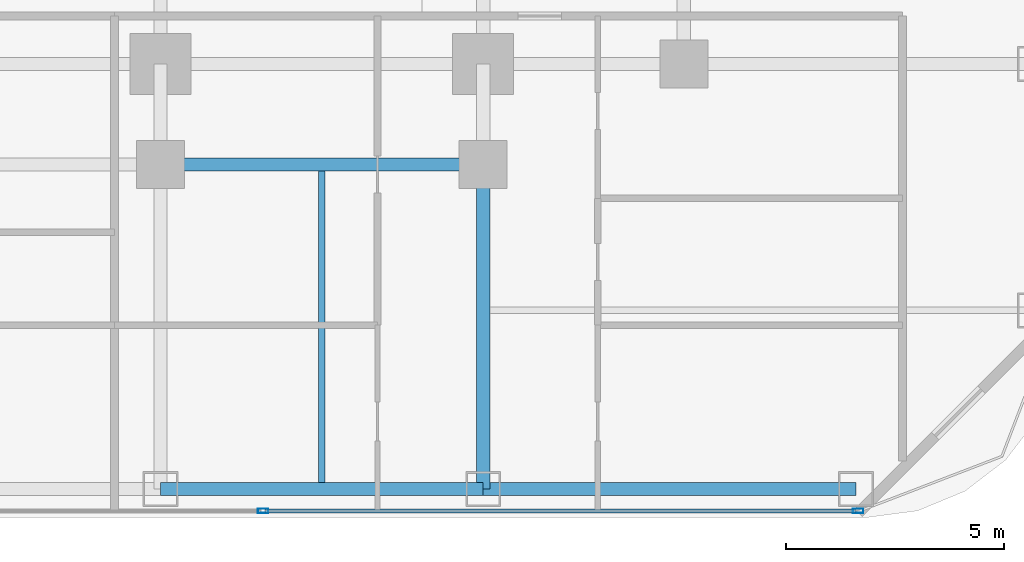
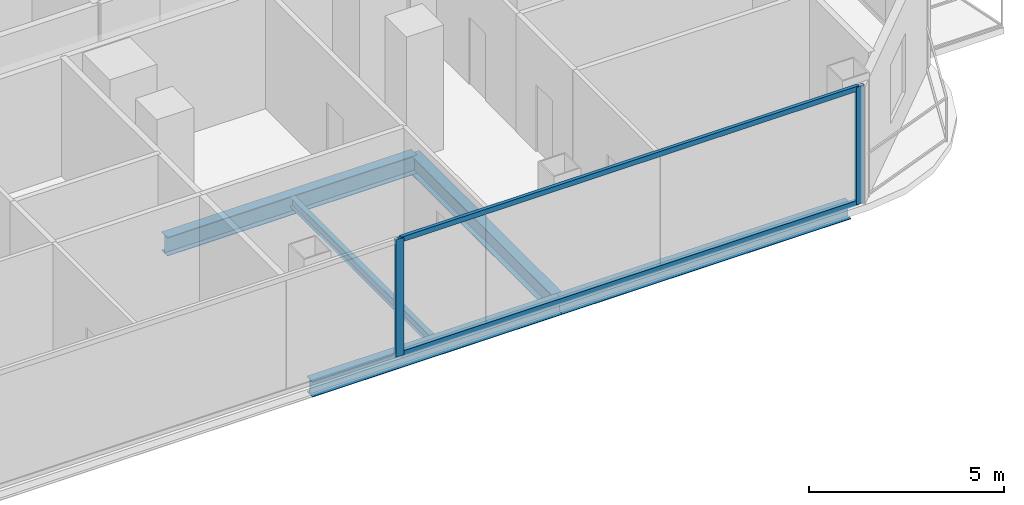
# One storey, part 8 of 27: 5 beams, 4 members, 1 element without a shape of its own.
"""IFC4 building model written with IfcOpenShell, lengths in metres."""

from ifc_helpers import new_model, si_unit, direction, frame, origin, origin_2d, place, context, subcontext, project, spatial, hollow_rectangle, i_section, extrude, material, layer, layer_set, material_profile, profile_set, type_object, element, aggregate, save


model = new_model("IFC4")

# Units and contexts
model_context = context("Model", 3, precision=1e-05, world=origin(), true_north=direction((0.0, 1.0)))
body_context = subcontext(model_context, "Body", "Model", "MODEL_VIEW")
ifc_project = project(units=[si_unit("LENGTHUNIT", "METRE"), si_unit("AREAUNIT", "SQUARE_METRE"), si_unit("VOLUMEUNIT", "CUBIC_METRE"), si_unit("PLANEANGLEUNIT", "RADIAN"), si_unit("MASSUNIT", "GRAM", prefix="KILO")], contexts=[model_context])

# Site, building, storey
site_placement = place(None, origin())
site = spatial("IfcSite", under=ifc_project, at=site_placement, CompositionType="ELEMENT")
building_placement = place(site_placement, origin())
building = spatial("IfcBuilding", under=site, at=building_placement, Name="Khorvyn Point Tower", CompositionType="ELEMENT")
storey_placement = place(building_placement, frame((0.0, 0.0, 46.199951171875)))
storey = spatial("IfcBuildingStorey", under=building, at=storey_placement, Name="L12", CompositionType="ELEMENT", Elevation=46.199951171875)

# Curtain wall, members
ifc_material_1 = material(Name="Anodised aluminium 6063-T6 and laminated Low-E glass", Category="aluminium")
ifc_layer = layer(ifc_material_1, 0.18994140625)
ifc_layer_set = layer_set([ifc_layer], Name="Stick-Built Finned Residential Curtain Wall CW-SYS-02")
curtain_wall_type = type_object("IfcCurtainWallType", Name="Stick-Built Finned Residential Curtain Wall CW-SYS-02", PredefinedType="NOTDEFINED", material=ifc_layer_set)
curtain_wall_placement = place(storey_placement, origin())
curtain_wall = element("IfcCurtainWall", 1, at=curtain_wall_placement, inside=storey, type_object=curtain_wall_type, Name="Curtain Wall", PredefinedType="NOTDEFINED")
ifc_material_2 = material(Name="Anodised aluminium 6063-T6", Category="aluminium")
ifc_material_profile_1 = material_profile(ifc_material_2, hollow_rectangle(XDim=0.10009765625, YDim=0.239990234375, WallThickness=0.0048828125, at=origin_2d()))
ifc_profile_set_1 = profile_set([ifc_material_profile_1], Name="Anodised aluminium 6063-T6 ALU-MUL-100x240")
member_type_1 = type_object("IfcMemberType", Name="Anodised Aluminium 6063-T6 Mullion ALU-MUL-100x240", PredefinedType="MULLION", material=ifc_profile_set_1)
member_1_placement = place(storey_placement, frame((23.39990234375, -25.050048828125, 0.0), z_axis=(0.0, 0.0, 1.0), x_axis=(0.0, -1.0, 0.0)))
member_1 = element("IfcMember", 2, at=member_1_placement, type_object=member_type_1, Name="Transom", PredefinedType="MULLION", context=body_context, shape_type="SweptSolid", body=[
    extrude(hollow_rectangle(XDim=0.10009765625, YDim=0.239990234375, WallThickness=0.0048828125, at=origin_2d()), origin(), (0.0, 0.0, 1.0), 3.679931640625),
])
member_2_placement = place(storey_placement, frame((9.75, -25.050048828125, 0.0), z_axis=(0.0, 0.0, 1.0), x_axis=(0.0, -1.0, 0.0)))
member_2 = element("IfcMember", 3, at=member_2_placement, type_object=member_type_1, Name="Transom", PredefinedType="MULLION", context=body_context, shape_type="SweptSolid", body=[
    extrude(hollow_rectangle(XDim=0.10009765625, YDim=0.239990234375, WallThickness=0.0048828125, at=origin_2d()), origin(), (0.0, 0.0, 1.0), 3.679931640625),
])
ifc_material_profile_2 = material_profile(ifc_material_2, hollow_rectangle(XDim=0.10009765625, YDim=0.159912109375, WallThickness=0.00439453125, at=origin_2d()))
ifc_profile_set_2 = profile_set([ifc_material_profile_2], Name="Anodised aluminium 6063-T6 ALU-TRN-100x160")
member_type_2 = type_object("IfcMemberType", Name="Anodised Aluminium 6063-T6 Transom ALU-TRN-100x160", PredefinedType="USERDEFINED", material=ifc_profile_set_2)
member_3_placement = place(storey_placement, frame((23.35009765625, -25.050048828125, 0.050048828125), z_axis=(-1.0, 0.0, 0.0), x_axis=(0.0, -1.0, 0.0)))
member_3 = element("IfcMember", 4, at=member_3_placement, type_object=member_type_2, Name="Transom", ObjectType="TRANSOM", PredefinedType="USERDEFINED", context=body_context, shape_type="SweptSolid", body=[
    extrude(hollow_rectangle(XDim=0.10009765625, YDim=0.159912109375, WallThickness=0.00439453125, at=origin_2d()), origin(), (0.0, 0.0, 1.0), 13.550048828125),
])
member_4_placement = place(storey_placement, frame((23.35009765625, -25.050048828125, 3.630126953125), z_axis=(-1.0, 0.0, 0.0), x_axis=(0.0, -1.0, 0.0)))
member_4 = element("IfcMember", 5, at=member_4_placement, type_object=member_type_2, Name="Transom", ObjectType="TRANSOM", PredefinedType="USERDEFINED", context=body_context, shape_type="SweptSolid", body=[
    extrude(hollow_rectangle(XDim=0.10009765625, YDim=0.159912109375, WallThickness=0.00439453125, at=origin_2d()), origin(), (0.0, 0.0, 1.0), 13.550048828125),
])
aggregate(curtain_wall, [member_1, member_2, member_3, member_4])

# Beams
ifc_material_3 = material(Name="Steel S355", Category="steel")
ifc_material_profile_3 = material_profile(ifc_material_3, i_section(OverallWidth=0.300048828125, OverallDepth=0.587890625, WebThickness=0.011962890625, FlangeThickness=0.02001953125, at=origin_2d()))
ifc_profile_set_3 = profile_set([ifc_material_profile_3], Name="Steel S355 H588x300x12x20")
beam_type_1 = type_object("IfcBeamType", Name="Steel S355 Beam H588x300x12x20", PredefinedType="BEAM", material=ifc_profile_set_3)
beam_1_placement = place(storey_placement, frame((7.39990234375, -17.10009765625, -0.513916015625), z_axis=(1.0, 0.0, 0.0), x_axis=(0.0, 1.0, 0.0)))
element("IfcBeam", 6, at=beam_1_placement, inside=storey, type_object=beam_type_1, Name="Beam", PredefinedType="BEAM", context=body_context, shape_type="SweptSolid", body=[
    extrude(i_section(OverallWidth=0.300048828125, OverallDepth=0.587890625, WebThickness=0.011962890625, FlangeThickness=0.02001953125, at=origin_2d()), origin(), (0.0, 0.0, 1.0), 7.400146484375),
])
beam_2_placement = place(storey_placement, frame((14.800048828125, -24.550048828125, -0.513916015625), z_axis=(0.0, 1.0, 0.0), x_axis=(-1.0, 0.0, 0.0)))
element("IfcBeam", 7, at=beam_2_placement, inside=storey, type_object=beam_type_1, Name="Beam", PredefinedType="BEAM", context=body_context, shape_type="SweptSolid", body=[
    extrude(i_section(OverallWidth=0.300048828125, OverallDepth=0.587890625, WebThickness=0.011962890625, FlangeThickness=0.02001953125, at=origin_2d()), origin(), (0.0, 0.0, 1.0), 7.449951171875),
])
ifc_material_profile_4 = material_profile(ifc_material_3, i_section(OverallWidth=0.14990234375, OverallDepth=0.300048828125, WebThickness=0.006591796875, FlangeThickness=0.009033203125, at=origin_2d()))
ifc_profile_set_4 = profile_set([ifc_material_profile_4], Name="Steel S355 H300x150x6.5x9")
beam_type_2 = type_object("IfcBeamType", Name="Steel S355 Joist H300x150x6.5x9", PredefinedType="JOIST", material=ifc_profile_set_4)
beam_3_placement = place(storey_placement, frame((11.10009765625, -24.39990234375, -0.369873046875), z_axis=(0.0, 1.0, 0.0), x_axis=(-1.0, 0.0, 0.0)))
element("IfcBeam", 8, at=beam_3_placement, inside=storey, type_object=beam_type_2, Name="Beam", PredefinedType="JOIST", context=body_context, shape_type="SweptSolid", body=[
    extrude(i_section(OverallWidth=0.14990234375, OverallDepth=0.300048828125, WebThickness=0.006591796875, FlangeThickness=0.009033203125, at=origin_2d()), origin(), (0.0, 0.0, 1.0), 7.14990234375),
])
ifc_material_profile_5 = material_profile(ifc_material_3, i_section(OverallWidth=0.300048828125, OverallDepth=0.488037109375, WebThickness=0.010986328125, FlangeThickness=0.01806640625, at=origin_2d()))
ifc_profile_set_5 = profile_set([ifc_material_profile_5], Name="Steel S355 H488x300x11x18")
beam_type_3 = type_object("IfcBeamType", Name="Steel S355 Spandrel H488x300x11x18", PredefinedType="SPANDREL", material=ifc_profile_set_5)
beam_4_placement = place(storey_placement, frame((7.39990234375, -24.550048828125, -0.4638671875), z_axis=(1.0, 0.0, 0.0), x_axis=(0.0, 1.0, 0.0)))
element("IfcBeam", 9, at=beam_4_placement, inside=storey, type_object=beam_type_3, Name="Beam", PredefinedType="SPANDREL", context=body_context, shape_type="SweptSolid", body=[
    extrude(i_section(OverallWidth=0.300048828125, OverallDepth=0.488037109375, WebThickness=0.010986328125, FlangeThickness=0.01806640625, at=origin_2d()), origin(), (0.0, 0.0, 1.0), 7.400146484375),
])
beam_5_placement = place(storey_placement, frame((14.800048828125, -24.550048828125, -0.4638671875), z_axis=(1.0, 0.0, 0.0), x_axis=(0.0, 1.0, 0.0)))
element("IfcBeam", 10, at=beam_5_placement, inside=storey, type_object=beam_type_3, Name="Beam", PredefinedType="SPANDREL", context=body_context, shape_type="SweptSolid", body=[
    extrude(i_section(OverallWidth=0.300048828125, OverallDepth=0.488037109375, WebThickness=0.010986328125, FlangeThickness=0.01806640625, at=origin_2d()), origin(), (0.0, 0.0, 1.0), 8.550048828125),
])

save(model, "model.ifc")
